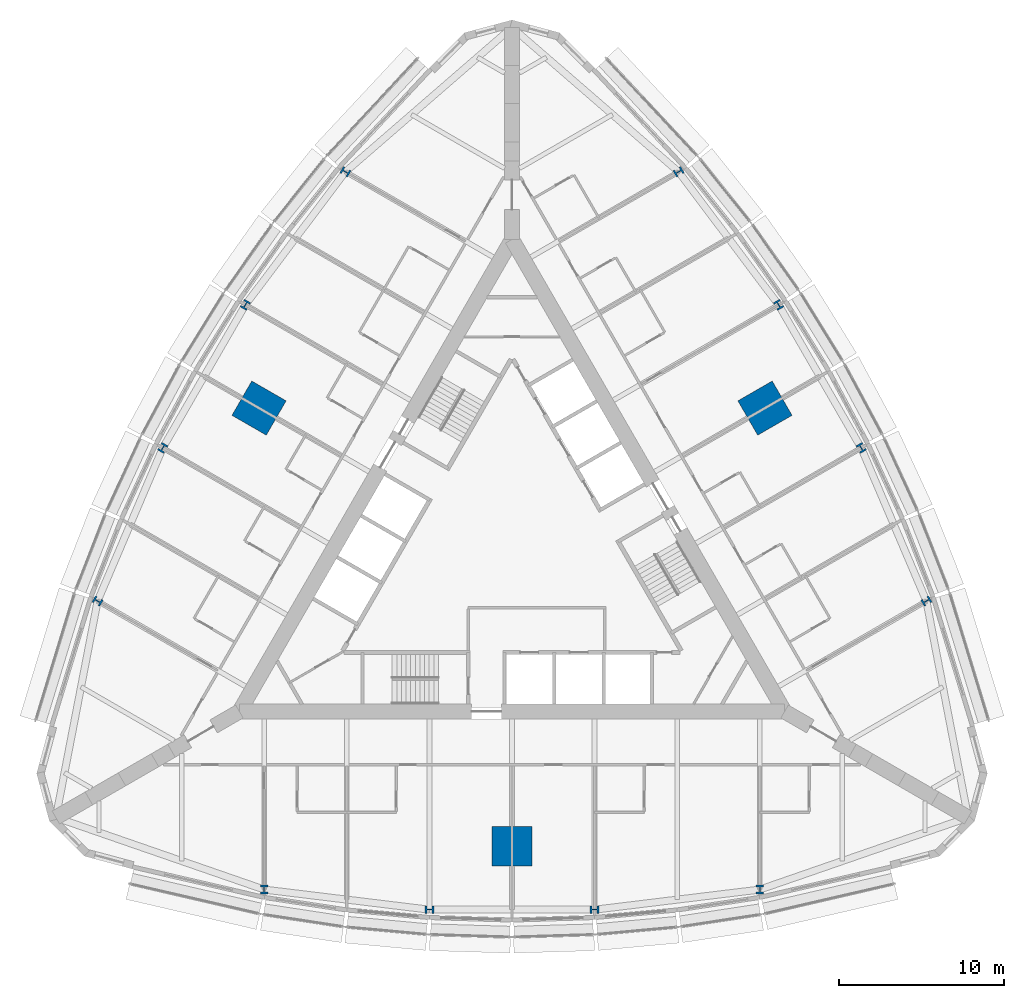
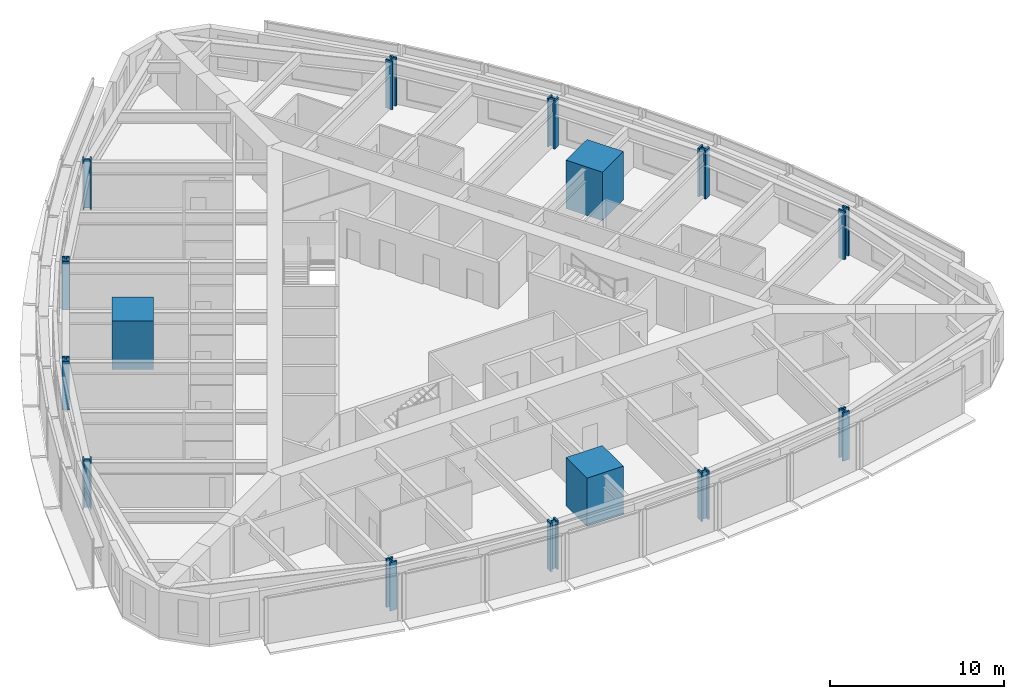
# One storey, part 1 of 14: 15 columns.
"""IFC4 building model written with IfcOpenShell, lengths in metres."""

from ifc_helpers import new_model, si_unit, direction, frame, origin, origin_2d, place, context, subcontext, project, spatial, rectangle, i_section, extrude, material, material_profile, profile_set, type_object, element, save


model = new_model("IFC4")

# Units and contexts
model_context = context("Model", 3, precision=1e-05, world=origin(), true_north=direction((0.0, 1.0)))
body_context = subcontext(model_context, "Body", "Model", "MODEL_VIEW")
ifc_project = project(units=[si_unit("LENGTHUNIT", "METRE"), si_unit("AREAUNIT", "SQUARE_METRE"), si_unit("VOLUMEUNIT", "CUBIC_METRE"), si_unit("PLANEANGLEUNIT", "RADIAN"), si_unit("MASSUNIT", "GRAM", prefix="KILO")], contexts=[model_context])

# Site, building, storey
site_placement = place(None, origin())
site = spatial("IfcSite", under=ifc_project, at=site_placement, CompositionType="ELEMENT")
building_placement = place(site_placement, origin())
building = spatial("IfcBuilding", under=site, at=building_placement, Name="Trikona Tower", CompositionType="ELEMENT")
storey_placement = place(building_placement, frame((0.0, 0.0, 52.300048828125)))
storey = spatial("IfcBuildingStorey", under=building, at=storey_placement, Name="L12", CompositionType="ELEMENT", Elevation=52.300048828125)

# Columns
ifc_material_1 = material(Name="Concrete f'c 10000 psi with encased steel section", Category="concrete")
ifc_material_profile_1 = material_profile(ifc_material_1, rectangle(XDim=2.39990234375, YDim=2.39990234375, at=origin_2d()), Name="MC2400")
ifc_profile_set_1 = profile_set([ifc_material_profile_1], Name="Concrete f'c 10000 psi with encased steel section")
column_type_1 = type_object("IfcColumnType", Name="Composite mega column 2400x2400", PredefinedType="COLUMN", material=ifc_profile_set_1)
for number, where, z_axis, x_axis, name in (
    (1, (0.0, -17.680419921875, 0.0), (0.0, 0.0, 1.0), (0.0, -1.0, 0.0), "Mega column MC1"),
    (2, (15.311767578125, 8.84033203125, 0.0), (0.0, 0.0, 1.0), (0.866025403784, 0.5, 0.0), "Mega column MC2"),
    (3, (-15.311767578125, 8.84033203125, 0.0), (0.0, 0.0, 1.0), (-0.866025403784, 0.5, 0.0), "Mega column MC3"),
):
    element("IfcColumn", number, at=place(storey_placement, frame(where, z_axis=z_axis, x_axis=x_axis)), inside=storey, type_object=column_type_1, Name=name, PredefinedType="COLUMN", context=body_context, shape_type="SweptSolid", body=[
        extrude(rectangle(XDim=2.39990234375, YDim=2.39990234375, at=origin_2d()), origin(), (0.0, 0.0, 1.0), 3.39990234375),
    ])
ifc_material_2 = material(Name="Steel ASTM A992 Grade 50", Category="steel")
ifc_material_profile_2 = material_profile(ifc_material_2, i_section(OverallWidth=0.44189453125, OverallDepth=0.53076171875, WebThickness=0.06591796875, FlangeThickness=0.105712890625, at=origin_2d()), Name="W14X605")
ifc_profile_set_2 = profile_set([ifc_material_profile_2], Name="Steel ASTM A992 Grade 50")
column_type_2 = type_object("IfcColumnType", Name="Steel column W14x605", PredefinedType="COLUMN", material=ifc_profile_set_2)
for number, where, z_axis, x_axis, name in (
    (4, (-15.0, -20.302978515625, 0.0), (0.0, 0.0, 1.0), (1.0, 0.0, 0.0), "Column F0m15"),
    (5, (-5.0, -21.5205078125, 0.0), (0.0, 0.0, 1.0), (0.0, -1.0, 0.0), "Column F0m5"),
    (6, (5.0, -21.5205078125, 0.0), (0.0, 0.0, 1.0), (0.0, -1.0, 0.0), "Column F0p5"),
    (7, (15.0, -20.302978515625, 0.0), (0.0, 0.0, 1.0), (1.0, 0.0, 0.0), "Column F0p15"),
    (8, (25.0830078125, -2.8388671875, 0.0), (0.0, 0.0, 1.0), (-0.5, 0.866025403784, 0.0), "Column F1m15"),
    (9, (21.13720703125, 6.43017578125, 0.0), (0.0, 0.0, 1.0), (0.866025403784, 0.5, 0.0), "Column F1m5"),
    (10, (16.13720703125, 15.09033203125, 0.0), (0.0, 0.0, 1.0), (0.866025403784, 0.5, 0.0), "Column F1p5"),
    (11, (10.0830078125, 23.141845703125, 0.0), (0.0, 0.0, 1.0), (-0.5, 0.866025403784, 0.0), "Column F1p15"),
    (12, (-10.0830078125, 23.141845703125, 0.0), (0.0, 0.0, 1.0), (-0.5, -0.866025403784, 0.0), "Column F2m15"),
    (13, (-16.13720703125, 15.09033203125, 0.0), (0.0, 0.0, 1.0), (-0.866025403784, 0.5, 0.0), "Column F2m5"),
    (14, (-21.13720703125, 6.43017578125, 0.0), (0.0, 0.0, 1.0), (-0.866025403784, 0.5, 0.0), "Column F2p5"),
    (15, (-25.0830078125, -2.8388671875, 0.0), (0.0, 0.0, 1.0), (-0.5, -0.866025403784, 0.0), "Column F2p15"),
):
    element("IfcColumn", number, at=place(storey_placement, frame(where, z_axis=z_axis, x_axis=x_axis)), inside=storey, type_object=column_type_2, Name=name, PredefinedType="COLUMN", context=body_context, shape_type="SweptSolid", body=[
        extrude(i_section(OverallWidth=0.44189453125, OverallDepth=0.53076171875, WebThickness=0.06591796875, FlangeThickness=0.105712890625, at=origin_2d()), origin(), (0.0, 0.0, 1.0), 3.39990234375),
    ])

save(model, "model.ifc")
